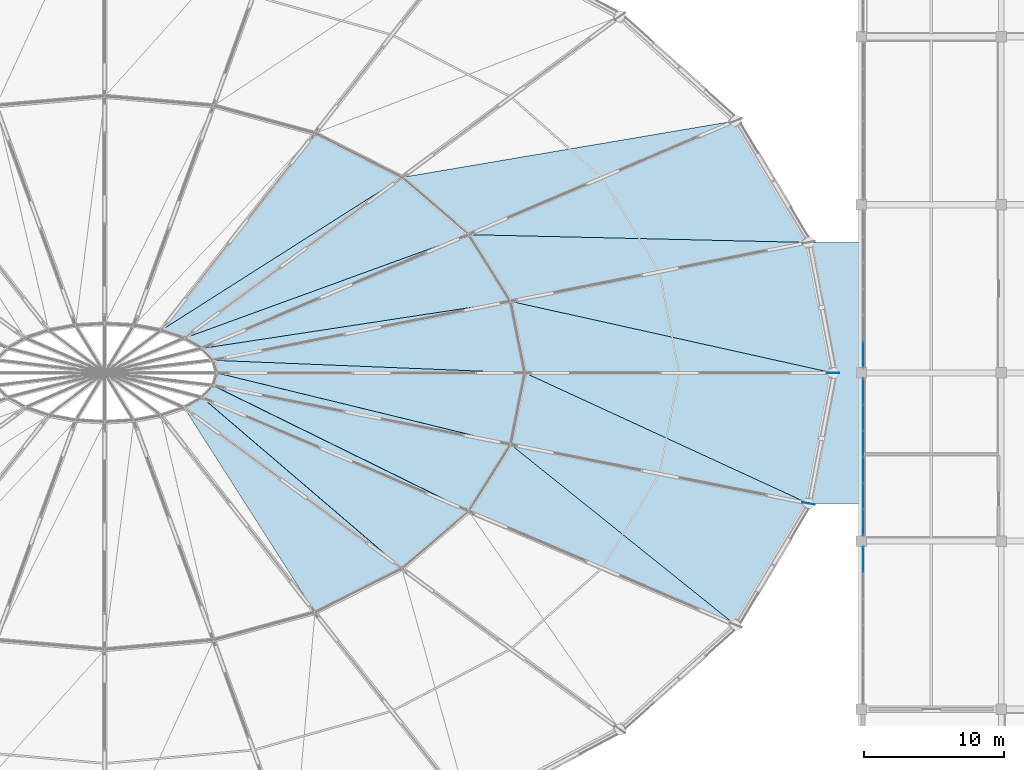
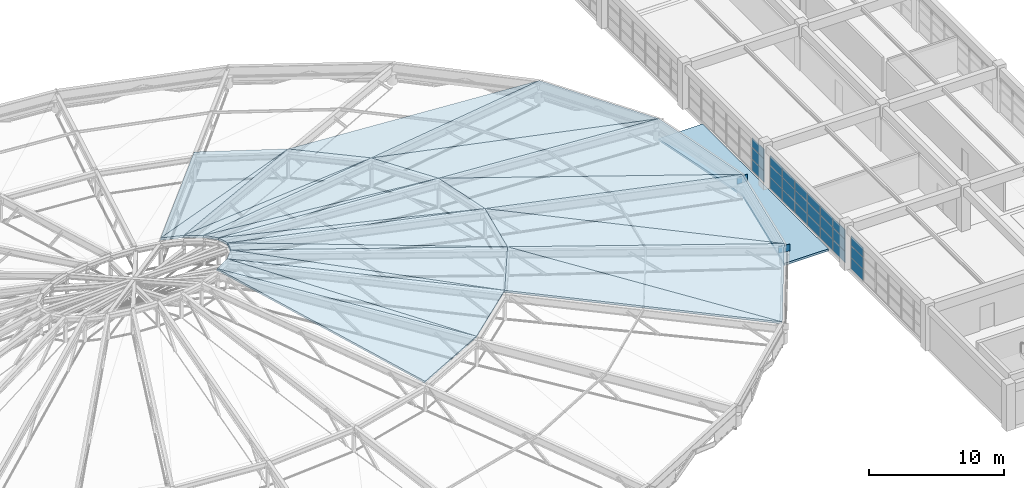
# One storey, part 51 of 83: 26 plates, 25 slabs, 4 elements without a shape of their own.
"""IFC4 building model written with IfcOpenShell, lengths in metres."""

from ifc_helpers import new_model, si_unit, direction, frame, origin, origin_2d, place, context, subcontext, project, spatial, polyline, rectangle, outline, extrude, material, layer, layer_set, type_object, element, aggregate, save


model = new_model("IFC4")

# Units and contexts
model_context = context("Model", 3, precision=1e-05, world=origin(), true_north=direction((0.0, 1.0)))
body_context = subcontext(model_context, "Body", "Model", "MODEL_VIEW")
ifc_project = project(units=[si_unit("LENGTHUNIT", "METRE"), si_unit("AREAUNIT", "SQUARE_METRE"), si_unit("VOLUMEUNIT", "CUBIC_METRE"), si_unit("PLANEANGLEUNIT", "RADIAN"), si_unit("MASSUNIT", "GRAM", prefix="KILO")], contexts=[model_context])

# Site, building, storey
site_placement = place(None, origin())
site = spatial("IfcSite", under=ifc_project, at=site_placement, CompositionType="ELEMENT")
building_placement = place(site_placement, origin())
building = spatial("IfcBuilding", under=site, at=building_placement, Name="Kivolera Central Railway Station", CompositionType="ELEMENT")
storey_placement = place(building_placement, frame((0.0, 0.0, 14.39990234375)))
storey = spatial("IfcBuildingStorey", under=building, at=storey_placement, Name="L03", CompositionType="ELEMENT", Elevation=14.39990234375)

# Curtain wall, plates
ifc_material_1 = material(Name="Anodised aluminium", Category="aluminium")
ifc_layer_1 = layer(ifc_material_1, 0.179931640625, Name="Anodised aluminium")
ifc_layer_set_1 = layer_set([ifc_layer_1], Name="Anodised aluminium")
curtain_wall_type = type_object("IfcCurtainWallType", Name="CW-SYS-30", PredefinedType="NOTDEFINED", material=ifc_layer_set_1)
curtain_wall_1_placement = place(storey_placement, origin())
curtain_wall_1 = element("IfcCurtainWall", 1, at=curtain_wall_1_placement, inside=storey, type_object=curtain_wall_type, Name="L03 Curtain Wall CW-L03-WEST-F", PredefinedType="NOTDEFINED")
ifc_material_2 = material(Name="Double low-E laminated glass", Category="glass")
ifc_layer_2 = layer(ifc_material_2, 0.030029296875, Name="Double low-E laminated glass")
ifc_layer_set_2 = layer_set([ifc_layer_2], Name="Double low-E laminated glass")
plate_type_1 = type_object("IfcPlateType", Name="CWP-GLZ-2", PredefinedType="CURTAIN_PANEL", material=ifc_layer_set_2)
plate_1_placement = place(storey_placement, frame((118.14501953125, 76.674072265625, 0.05810546875), z_axis=(0.0, 0.0, 1.0), x_axis=(0.0, 1.0, 0.0)))
plate_1 = element("IfcPlate", 2, at=plate_1_placement, type_object=plate_type_1, Name="CW-30 panel 6.1", PredefinedType="CURTAIN_PANEL", context=body_context, shape_type="SweptSolid", body=[
    extrude(rectangle(XDim=1.795654296875, YDim=0.030029296875, at=origin_2d()), origin(), (0.0, 0.0, 1.0), 0.996337890625),
])
plate_2_placement = place(storey_placement, frame((118.14501953125, 76.674072265625, 1.100341796875), z_axis=(0.0, 0.0, 1.0), x_axis=(0.0, 1.0, 0.0)))
plate_2 = element("IfcPlate", 3, at=plate_2_placement, type_object=plate_type_1, Name="CW-30 panel 6.2", PredefinedType="CURTAIN_PANEL", context=body_context, shape_type="SweptSolid", body=[
    extrude(rectangle(XDim=1.795654296875, YDim=0.030029296875, at=origin_2d()), origin(), (0.0, 0.0, 1.0), 1.03125),
])
plate_3_placement = place(storey_placement, frame((118.14501953125, 76.674072265625, 2.177734375), z_axis=(0.0, 0.0, 1.0), x_axis=(0.0, 1.0, 0.0)))
plate_3 = element("IfcPlate", 4, at=plate_3_placement, type_object=plate_type_1, Name="CW-30 panel 6.3", PredefinedType="CURTAIN_PANEL", context=body_context, shape_type="SweptSolid", body=[
    extrude(rectangle(XDim=1.795654296875, YDim=0.030029296875, at=origin_2d()), origin(), (0.0, 0.0, 1.0), 0.84228515625),
])
aggregate(curtain_wall_1, [plate_1, plate_2, plate_3])

curtain_wall_2_placement = place(storey_placement, origin())
curtain_wall_2 = element("IfcCurtainWall", 5, at=curtain_wall_2_placement, inside=storey, type_object=curtain_wall_type, Name="L03 Curtain Wall CW-L03-WEST-G", PredefinedType="NOTDEFINED")
plate_4_placement = place(storey_placement, frame((118.14501953125, 79.325927734375, 0.05810546875), z_axis=(0.0, 0.0, 1.0), x_axis=(0.0, 1.0, 0.0)))
plate_4 = element("IfcPlate", 6, at=plate_4_placement, type_object=plate_type_1, Name="CW-30 panel 1.1", PredefinedType="CURTAIN_PANEL", context=body_context, shape_type="SweptSolid", body=[
    extrude(rectangle(XDim=1.795654296875, YDim=0.030029296875, at=origin_2d()), origin(), (0.0, 0.0, 1.0), 0.996337890625),
])
plate_5_placement = place(storey_placement, frame((118.14501953125, 79.325927734375, 1.100341796875), z_axis=(0.0, 0.0, 1.0), x_axis=(0.0, 1.0, 0.0)))
plate_5 = element("IfcPlate", 7, at=plate_5_placement, type_object=plate_type_1, Name="CW-30 panel 1.2", PredefinedType="CURTAIN_PANEL", context=body_context, shape_type="SweptSolid", body=[
    extrude(rectangle(XDim=1.795654296875, YDim=0.030029296875, at=origin_2d()), origin(), (0.0, 0.0, 1.0), 1.03125),
])
plate_6_placement = place(storey_placement, frame((118.14501953125, 79.325927734375, 2.177734375), z_axis=(0.0, 0.0, 1.0), x_axis=(0.0, 1.0, 0.0)))
plate_6 = element("IfcPlate", 8, at=plate_6_placement, type_object=plate_type_1, Name="CW-30 panel 1.3", PredefinedType="CURTAIN_PANEL", context=body_context, shape_type="SweptSolid", body=[
    extrude(rectangle(XDim=1.795654296875, YDim=0.030029296875, at=origin_2d()), origin(), (0.0, 0.0, 1.0), 0.84228515625),
])
plate_7_placement = place(storey_placement, frame((118.14501953125, 81.18505859375, 0.05810546875), z_axis=(0.0, 0.0, 1.0), x_axis=(0.0, 1.0, 0.0)))
plate_7 = element("IfcPlate", 9, at=plate_7_placement, type_object=plate_type_1, Name="CW-30 panel 2.1", PredefinedType="CURTAIN_PANEL", context=body_context, shape_type="SweptSolid", body=[
    extrude(rectangle(XDim=1.83056640625, YDim=0.030029296875, at=origin_2d()), origin(), (0.0, 0.0, 1.0), 0.996337890625),
])
plate_8_placement = place(storey_placement, frame((118.14501953125, 81.18505859375, 1.100341796875), z_axis=(0.0, 0.0, 1.0), x_axis=(0.0, 1.0, 0.0)))
plate_8 = element("IfcPlate", 10, at=plate_8_placement, type_object=plate_type_1, Name="CW-30 panel 2.2", PredefinedType="CURTAIN_PANEL", context=body_context, shape_type="SweptSolid", body=[
    extrude(rectangle(XDim=1.83056640625, YDim=0.030029296875, at=origin_2d()), origin(), (0.0, 0.0, 1.0), 1.03125),
])
plate_9_placement = place(storey_placement, frame((118.14501953125, 81.18505859375, 2.177734375), z_axis=(0.0, 0.0, 1.0), x_axis=(0.0, 1.0, 0.0)))
plate_9 = element("IfcPlate", 11, at=plate_9_placement, type_object=plate_type_1, Name="CW-30 panel 2.3", PredefinedType="CURTAIN_PANEL", context=body_context, shape_type="SweptSolid", body=[
    extrude(rectangle(XDim=1.83056640625, YDim=0.030029296875, at=origin_2d()), origin(), (0.0, 0.0, 1.0), 0.84228515625),
])
plate_10_placement = place(storey_placement, frame((118.14501953125, 83.061767578125, 0.05810546875), z_axis=(0.0, 0.0, 1.0), x_axis=(0.0, 1.0, 0.0)))
plate_10 = element("IfcPlate", 12, at=plate_10_placement, type_object=plate_type_1, Name="CW-30 panel 3.1", PredefinedType="CURTAIN_PANEL", context=body_context, shape_type="SweptSolid", body=[
    extrude(rectangle(XDim=1.83056640625, YDim=0.030029296875, at=origin_2d()), origin(), (0.0, 0.0, 1.0), 0.996337890625),
])
plate_11_placement = place(storey_placement, frame((118.14501953125, 83.061767578125, 1.100341796875), z_axis=(0.0, 0.0, 1.0), x_axis=(0.0, 1.0, 0.0)))
plate_11 = element("IfcPlate", 13, at=plate_11_placement, type_object=plate_type_1, Name="CW-30 panel 3.2", PredefinedType="CURTAIN_PANEL", context=body_context, shape_type="SweptSolid", body=[
    extrude(rectangle(XDim=1.83056640625, YDim=0.030029296875, at=origin_2d()), origin(), (0.0, 0.0, 1.0), 1.03125),
])
plate_12_placement = place(storey_placement, frame((118.14501953125, 83.061767578125, 2.177734375), z_axis=(0.0, 0.0, 1.0), x_axis=(0.0, 1.0, 0.0)))
plate_12 = element("IfcPlate", 14, at=plate_12_placement, type_object=plate_type_1, Name="CW-30 panel 3.3", PredefinedType="CURTAIN_PANEL", context=body_context, shape_type="SweptSolid", body=[
    extrude(rectangle(XDim=1.83056640625, YDim=0.030029296875, at=origin_2d()), origin(), (0.0, 0.0, 1.0), 0.84228515625),
])
plate_13_placement = place(storey_placement, frame((118.14501953125, 84.938232421875, 0.05810546875), z_axis=(0.0, 0.0, 1.0), x_axis=(0.0, 1.0, 0.0)))
plate_13 = element("IfcPlate", 15, at=plate_13_placement, type_object=plate_type_1, Name="CW-30 panel 4.1", PredefinedType="CURTAIN_PANEL", context=body_context, shape_type="SweptSolid", body=[
    extrude(rectangle(XDim=1.83056640625, YDim=0.030029296875, at=origin_2d()), origin(), (0.0, 0.0, 1.0), 0.996337890625),
])
plate_14_placement = place(storey_placement, frame((118.14501953125, 84.938232421875, 1.100341796875), z_axis=(0.0, 0.0, 1.0), x_axis=(0.0, 1.0, 0.0)))
plate_14 = element("IfcPlate", 16, at=plate_14_placement, type_object=plate_type_1, Name="CW-30 panel 4.2", PredefinedType="CURTAIN_PANEL", context=body_context, shape_type="SweptSolid", body=[
    extrude(rectangle(XDim=1.83056640625, YDim=0.030029296875, at=origin_2d()), origin(), (0.0, 0.0, 1.0), 1.03125),
])
plate_15_placement = place(storey_placement, frame((118.14501953125, 84.938232421875, 2.177734375), z_axis=(0.0, 0.0, 1.0), x_axis=(0.0, 1.0, 0.0)))
plate_15 = element("IfcPlate", 17, at=plate_15_placement, type_object=plate_type_1, Name="CW-30 panel 4.3", PredefinedType="CURTAIN_PANEL", context=body_context, shape_type="SweptSolid", body=[
    extrude(rectangle(XDim=1.83056640625, YDim=0.030029296875, at=origin_2d()), origin(), (0.0, 0.0, 1.0), 0.84228515625),
])
plate_16_placement = place(storey_placement, frame((118.14501953125, 86.81494140625, 0.05810546875), z_axis=(0.0, 0.0, 1.0), x_axis=(0.0, 1.0, 0.0)))
plate_16 = element("IfcPlate", 18, at=plate_16_placement, type_object=plate_type_1, Name="CW-30 panel 5.1", PredefinedType="CURTAIN_PANEL", context=body_context, shape_type="SweptSolid", body=[
    extrude(rectangle(XDim=1.83056640625, YDim=0.030029296875, at=origin_2d()), origin(), (0.0, 0.0, 1.0), 0.996337890625),
])
plate_17_placement = place(storey_placement, frame((118.14501953125, 86.81494140625, 1.100341796875), z_axis=(0.0, 0.0, 1.0), x_axis=(0.0, 1.0, 0.0)))
plate_17 = element("IfcPlate", 19, at=plate_17_placement, type_object=plate_type_1, Name="CW-30 panel 5.2", PredefinedType="CURTAIN_PANEL", context=body_context, shape_type="SweptSolid", body=[
    extrude(rectangle(XDim=1.83056640625, YDim=0.030029296875, at=origin_2d()), origin(), (0.0, 0.0, 1.0), 1.03125),
])
plate_18_placement = place(storey_placement, frame((118.14501953125, 86.81494140625, 2.177734375), z_axis=(0.0, 0.0, 1.0), x_axis=(0.0, 1.0, 0.0)))
plate_18 = element("IfcPlate", 20, at=plate_18_placement, type_object=plate_type_1, Name="CW-30 panel 5.3", PredefinedType="CURTAIN_PANEL", context=body_context, shape_type="SweptSolid", body=[
    extrude(rectangle(XDim=1.83056640625, YDim=0.030029296875, at=origin_2d()), origin(), (0.0, 0.0, 1.0), 0.84228515625),
])
plate_19_placement = place(storey_placement, frame((118.14501953125, 88.674072265625, 0.05810546875), z_axis=(0.0, 0.0, 1.0), x_axis=(0.0, 1.0, 0.0)))
plate_19 = element("IfcPlate", 21, at=plate_19_placement, type_object=plate_type_1, Name="CW-30 panel 6.1", PredefinedType="CURTAIN_PANEL", context=body_context, shape_type="SweptSolid", body=[
    extrude(rectangle(XDim=1.795654296875, YDim=0.030029296875, at=origin_2d()), origin(), (0.0, 0.0, 1.0), 0.996337890625),
])
plate_20_placement = place(storey_placement, frame((118.14501953125, 88.674072265625, 1.100341796875), z_axis=(0.0, 0.0, 1.0), x_axis=(0.0, 1.0, 0.0)))
plate_20 = element("IfcPlate", 22, at=plate_20_placement, type_object=plate_type_1, Name="CW-30 panel 6.2", PredefinedType="CURTAIN_PANEL", context=body_context, shape_type="SweptSolid", body=[
    extrude(rectangle(XDim=1.795654296875, YDim=0.030029296875, at=origin_2d()), origin(), (0.0, 0.0, 1.0), 1.03125),
])
plate_21_placement = place(storey_placement, frame((118.14501953125, 88.674072265625, 2.177734375), z_axis=(0.0, 0.0, 1.0), x_axis=(0.0, 1.0, 0.0)))
plate_21 = element("IfcPlate", 23, at=plate_21_placement, type_object=plate_type_1, Name="CW-30 panel 6.3", PredefinedType="CURTAIN_PANEL", context=body_context, shape_type="SweptSolid", body=[
    extrude(rectangle(XDim=1.795654296875, YDim=0.030029296875, at=origin_2d()), origin(), (0.0, 0.0, 1.0), 0.84228515625),
])
aggregate(curtain_wall_2, [plate_4, plate_5, plate_6, plate_7, plate_8, plate_9, plate_10, plate_11, plate_12, plate_13, plate_14, plate_15, plate_16, plate_17, plate_18, plate_19, plate_20, plate_21])

curtain_wall_3_placement = place(storey_placement, origin())
curtain_wall_3 = element("IfcCurtainWall", 24, at=curtain_wall_3_placement, inside=storey, type_object=curtain_wall_type, Name="L03 Curtain Wall CW-L03-WEST-H", PredefinedType="NOTDEFINED")
plate_22_placement = place(storey_placement, frame((118.14501953125, 91.325927734375, 0.05810546875), z_axis=(0.0, 0.0, 1.0), x_axis=(0.0, 1.0, 0.0)))
plate_22 = element("IfcPlate", 25, at=plate_22_placement, type_object=plate_type_1, Name="CW-30 panel 1.1", PredefinedType="CURTAIN_PANEL", context=body_context, shape_type="SweptSolid", body=[
    extrude(rectangle(XDim=1.795654296875, YDim=0.030029296875, at=origin_2d()), origin(), (0.0, 0.0, 1.0), 0.996337890625),
])
plate_23_placement = place(storey_placement, frame((118.14501953125, 91.325927734375, 1.100341796875), z_axis=(0.0, 0.0, 1.0), x_axis=(0.0, 1.0, 0.0)))
plate_23 = element("IfcPlate", 26, at=plate_23_placement, type_object=plate_type_1, Name="CW-30 panel 1.2", PredefinedType="CURTAIN_PANEL", context=body_context, shape_type="SweptSolid", body=[
    extrude(rectangle(XDim=1.795654296875, YDim=0.030029296875, at=origin_2d()), origin(), (0.0, 0.0, 1.0), 1.03125),
])
plate_24_placement = place(storey_placement, frame((118.14501953125, 91.325927734375, 2.177734375), z_axis=(0.0, 0.0, 1.0), x_axis=(0.0, 1.0, 0.0)))
plate_24 = element("IfcPlate", 27, at=plate_24_placement, type_object=plate_type_1, Name="CW-30 panel 1.3", PredefinedType="CURTAIN_PANEL", context=body_context, shape_type="SweptSolid", body=[
    extrude(rectangle(XDim=1.795654296875, YDim=0.030029296875, at=origin_2d()), origin(), (0.0, 0.0, 1.0), 0.84228515625),
])
aggregate(curtain_wall_3, [plate_22, plate_23, plate_24])

# Plates
ifc_material_3 = material(Name="Steel S355", Category="steel")
ifc_layer_3 = layer(ifc_material_3, 0.028076171875, Name="Steel S355")
ifc_layer_set_3 = layer_set([ifc_layer_3], Name="Steel S355")
plate_type_2 = type_object("IfcPlateType", Name="PLT-GUS-900", PredefinedType="SHEET", material=ifc_layer_set_3)
for number, where, z_axis, x_axis, name in (
    (28, (116.0, 90.0, 1.050048828125), (0.0, 0.0, 1.0), (1.0, 0.0, 0.0), "Dome Springing Node Gusset Plate NP-01"),
    (29, (114.22802734375, 80.68310546875, 1.050048828125), (0.0, 0.0, 1.0), (0.983226269944, -0.182389972563, 0.0), "Dome Springing Node Gusset Plate NP-24"),
):
    element("IfcPlate", number, at=place(storey_placement, frame(where, z_axis=z_axis, x_axis=x_axis)), inside=storey, type_object=plate_type_2, Name=name, PredefinedType="SHEET", context=body_context, shape_type="SweptSolid", body=[
        extrude(rectangle(XDim=0.89990234375, YDim=0.028076171875, at=origin_2d()), origin(), (0.0, 0.0, 1.0), 0.60009765625),
    ])

# Roof, slabs
roof_type = type_object("IfcRoofType", Name="ROOF-DOME-MAIN", PredefinedType="DOME_ROOF", material=ifc_material_3)
roof_placement = place(storey_placement, origin())
roof = element("IfcRoof", 30, at=roof_placement, inside=storey, type_object=roof_type, Name="Oval Concourse Radial-Ribbed Cable-Net Dome Roof", PredefinedType="DOME_ROOF")
ifc_material_4 = material(Name="Precast concrete C40/50", Category="concrete")
ifc_layer_4 = layer(ifc_material_4, 0.179931640625, Name="Precast concrete C40/50")
ifc_layer_set_4 = layer_set([ifc_layer_4], Name="Precast concrete C40/50")
slab_type_1 = type_object("IfcSlabType", Name="SLB-DOME-180", PredefinedType="ROOF", material=ifc_layer_set_4)
slab_1_placement = place(storey_placement, frame((116.0, 90.0, 1.800048828125), z_axis=(0.204072988289, 0.038812477045, 0.978185977755), x_axis=(-0.186840028686, 0.982390351989, 0.0)))
slab_1 = element("IfcSlab", 31, at=slab_1_placement, type_object=slab_type_1, Name="Oval Dome Faceted Roof Panel F1A-00", PredefinedType="ROOF", context=body_context, shape_type="SweptSolid", body=[
    extrude(outline(polyline([(0.0, 0.0), (9.48390271992147, 0.0), (9.323464991545269, 22.144486605439855), (0.0, 0.0)])), origin(), (0.0, 0.0, -1.0), 0.179931640625),
])
slab_2_placement = place(storey_placement, frame((116.0, 90.0, 1.800048828125), z_axis=(0.204497949534, 0.040882010447, 0.97801290884), x_axis=(-0.958163816825, 0.212761587314, 0.191453929422)))
slab_2 = element("IfcSlab", 32, at=slab_2_placement, type_object=slab_type_1, Name="Oval Dome Faceted Roof Panel F1B-00", PredefinedType="ROOF", context=body_context, shape_type="SweptSolid", body=[
    extrude(outline(polyline([(0.0, 0.0), (24.027178079563885, -4.440892098500626e-16), (21.960310742164108, 4.785984805097959), (0.0, 0.0)])), origin(), (0.0, 0.0, -1.0), 0.179931640625),
])
slab_3_placement = place(storey_placement, frame((94.0, 90.0, 6.400146484375), z_axis=(0.203674345644, 0.040717360469, 0.978191626157), x_axis=(-0.196035080602, 0.980596883114, 0.0)))
slab_3 = element("IfcSlab", 33, at=slab_3_placement, type_object=slab_type_1, Name="Oval Dome Faceted Roof Panel F2A-00", PredefinedType="ROOF", context=body_context, shape_type="SweptSolid", body=[
    extrude(outline(polyline([(0.0, 0.0), (5.213213130597923, 0.0), (5.254705917119084, 22.146147105265047), (0.0, 0.0)])), origin(), (0.0, 0.0, -1.0), 0.179931640625),
])
slab_4_placement = place(storey_placement, frame((94.0, 90.0, 6.400146484375), z_axis=(0.20427074384, 0.061539933067, 0.976978147068), x_axis=(-0.978556977115, 0.03980516214, 0.202093521932)))
slab_4 = element("IfcSlab", 34, at=slab_4_placement, type_object=slab_type_1, Name="Oval Dome Faceted Roof Panel F2B-00", PredefinedType="ROOF", context=body_context, shape_type="SweptSolid", body=[
    extrude(outline(polyline([(0.0, 0.0), (22.76101416640844, -1.1102230246251565e-16), (22.457854093869948, 0.8963491862307472), (0.0, 0.0)])), origin(), (0.0, 0.0, -1.0), 0.179931640625),
])
slab_5_placement = place(storey_placement, frame((114.22802734375, 99.31689453125, 1.800048828125), z_axis=(0.187708318886, 0.112305159916, 0.97578334587), x_axis=(-0.513420234648, 0.85813732156, 0.0)))
slab_5 = element("IfcSlab", 35, at=slab_5_placement, type_object=slab_type_1, Name="Oval Dome Faceted Roof Panel F1A-01", PredefinedType="ROOF", context=body_context, shape_type="SweptSolid", body=[
    extrude(outline(polyline([(0.0, 0.0), (10.118550085857924, -8.881784197001252e-16), (12.927867661462578, 21.030050799470608), (0.0, 0.0)])), origin(), (0.0, 0.0, -1.0), 0.179931640625),
])
slab_6_placement = place(storey_placement, frame((114.22802734375, 99.31689453125, 1.800048828125), z_axis=(0.187711736545, 0.118117242187, 0.975096211182), x_axis=(-0.982224161158, 0.022608284993, 0.186345278148)))
slab_6 = element("IfcSlab", 36, at=slab_6_placement, type_object=slab_type_1, Name="Oval Dome Faceted Roof Panel F1B-01", PredefinedType="ROOF", context=body_context, shape_type="SweptSolid", body=[
    extrude(outline(polyline([(0.0, 0.0), (24.685882582978564, 0.0), (21.6344058167904, 4.728267361054932), (0.0, 0.0)])), origin(), (0.0, 0.0, -1.0), 0.179931640625),
])
slab_7_placement = place(storey_placement, frame((92.97802734375, 95.112060546875, 6.400146484375), z_axis=(0.185708549271, 0.116856740523, 0.975631506729), x_axis=(-0.532581967899, 0.846378430413, 0.0)))
slab_7 = element("IfcSlab", 37, at=slab_7_placement, type_object=slab_type_1, Name="Oval Dome Faceted Roof Panel F2A-01", PredefinedType="ROOF", context=body_context, shape_type="SweptSolid", body=[
    extrude(outline(polyline([(0.0, 0.0), (5.627434823452291, 0.0), (8.89788286854379, 20.964122620954893), (0.0, 0.0)])), origin(), (0.0, 0.0, -1.0), 0.179931640625),
])
slab_8_placement = place(storey_placement, frame((92.97802734375, 95.112060546875, 6.400146484375), z_axis=(0.176807967583, 0.167397303414, 0.969905709545), x_axis=(-0.968200603055, -0.147625480305, 0.201976012956)))
slab_8 = element("IfcSlab", 38, at=slab_8_placement, type_object=slab_type_1, Name="Oval Dome Faceted Roof Panel F2B-01", PredefinedType="ROOF", context=body_context, shape_type="SweptSolid", body=[
    extrude(outline(polyline([(0.0, 0.0), (22.774256449086497, 2.220446049250313e-16), (22.12518924000817, 0.9641339913101656), (0.0, 0.0)])), origin(), (0.0, 0.0, -1.0), 0.179931640625),
])
slab_9_placement = place(storey_placement, frame((109.032958984375, 108.0, 1.800048828125), z_axis=(0.156541405077, 0.18248992068, 0.970665862873), x_axis=(-0.968553919078, -0.164064597872, 0.187045752593)))
slab_9 = element("IfcSlab", 39, at=slab_9_placement, type_object=slab_type_1, Name="Oval Dome Faceted Roof Panel F1B-02", PredefinedType="ROOF", context=body_context, shape_type="SweptSolid", body=[
    extrude(outline(polyline([(0.0, 0.0), (24.59343552297474, -3.3306690738754696e-16), (20.64634474381376, 4.887100427503965), (0.0, 0.0)])), origin(), (0.0, 0.0, -1.0), 0.179931640625),
])
slab_10_placement = place(storey_placement, frame((89.98095703125, 99.875, 6.400146484375), z_axis=(0.154357118089, 0.179943563319, 0.971490707169), x_axis=(-0.759006904764, 0.651082574271, 0.0)))
slab_10 = element("IfcSlab", 40, at=slab_10_placement, type_object=slab_type_1, Name="Oval Dome Faceted Roof Panel F2A-02", PredefinedType="ROOF", context=body_context, shape_type="SweptSolid", body=[
    extrude(outline(polyline([(0.0, 0.0), (6.281980277543623, 0.0), (10.60808959344854, 19.40230878432082), (0.0, 0.0)])), origin(), (0.0, 0.0, -1.0), 0.179931640625),
])
slab_11_placement = place(storey_placement, frame((89.98095703125, 99.875, 6.400146484375), z_axis=(0.133079154548, 0.233269386727, 0.963262857086), x_axis=(-0.919099615551, -0.334641600867, 0.208016575451)))
slab_11 = element("IfcSlab", 41, at=slab_11_placement, type_object=slab_type_1, Name="Oval Dome Faceted Roof Panel F2B-02", PredefinedType="ROOF", context=body_context, shape_type="SweptSolid", body=[
    extrude(outline(polyline([(0.0, 0.0), (22.112918192422367, -4.440892098500626e-16), (21.187394011761715, 1.1334031376520115), (0.0, 0.0)])), origin(), (0.0, 0.0, -1.0), 0.179931640625),
])
slab_12_placement = place(storey_placement, frame((85.212890625, 103.965087890625, 6.400146484375), z_axis=(0.114505383953, 0.226641752417, 0.967223879517), x_axis=(-0.892553489172, 0.450941536085, 0.0)))
slab_12 = element("IfcSlab", 42, at=slab_12_placement, type_object=slab_type_1, Name="Oval Dome Faceted Roof Panel F2A-03", PredefinedType="ROOF", context=body_context, shape_type="SweptSolid", body=[
    extrude(outline(polyline([(0.0, 0.0), (6.960804814916162, 0.0), (10.432793839233575, 18.114999823559888), (0.0, 0.0)])), origin(), (0.0, 0.0, -1.0), 0.179931640625),
])
slab_13_placement = place(storey_placement, frame((85.212890625, 103.965087890625, 6.400146484375), z_axis=(0.0886957889, 0.264373438413, 0.960333141203), x_axis=(-0.823407610243, -0.523050227396, 0.220041739257)))
slab_13 = element("IfcSlab", 43, at=slab_13_placement, type_object=slab_type_1, Name="Oval Dome Faceted Roof Panel F2B-03", PredefinedType="ROOF", context=body_context, shape_type="SweptSolid", body=[
    extrude(outline(polyline([(0.0, 0.0), (20.904458995619205, 4.440892098500626e-16), (19.830854971464756, 1.379129825659565), (0.0, 0.0)])), origin(), (0.0, 0.0, -1.0), 0.179931640625),
])
slab_14_placement = place(storey_placement, frame((79.0, 72.89599609375, 6.400146484375), z_axis=(0.116060220086, -0.229719256495, 0.966312107194), x_axis=(0.892553489172, 0.450941536085, 0.0)))
slab_14 = element("IfcSlab", 44, at=slab_14_placement, type_object=slab_type_1, Name="Oval Dome Faceted Roof Panel F2A-20", PredefinedType="ROOF", context=body_context, shape_type="SweptSolid", body=[
    extrude(outline(polyline([(0.0, 0.0), (6.960804814916162, 0.0), (-1.7423614831365493, 17.872316703878422), (0.0, 0.0)])), origin(), (0.0, 0.0, -1.0), 0.179931640625),
])
slab_15_placement = place(storey_placement, frame((85.212890625, 76.034912109375, 6.400146484375), z_axis=(0.156528527935, -0.182474909006, 0.970670761652), x_axis=(0.759006904764, 0.651082574271, 0.0)))
slab_15 = element("IfcSlab", 45, at=slab_15_placement, type_object=slab_type_1, Name="Oval Dome Faceted Roof Panel F2A-21", PredefinedType="ROOF", context=body_context, shape_type="SweptSolid", body=[
    extrude(outline(polyline([(0.0, 0.0), (6.281980277543623, -4.440892098500626e-16), (-2.8893160561905846, 19.133154241810445), (0.0, 0.0)])), origin(), (0.0, 0.0, -1.0), 0.179931640625),
])
slab_16_placement = place(storey_placement, frame((85.212890625, 76.034912109375, 6.400146484375), z_axis=(0.124713014768, -0.218604698614, 0.967811267599), x_axis=(-0.738235159283, 0.631267961997, 0.23771749989)))
slab_16 = element("IfcSlab", 46, at=slab_16_placement, type_object=slab_type_1, Name="Oval Dome Faceted Roof Panel F2B-21", PredefinedType="ROOF", context=body_context, shape_type="SweptSolid", body=[
    extrude(outline(polyline([(0.0, 0.0), (19.350083682337647, 2.1649348980190553e-15), (19.830646766345684, 1.3821204013094115), (0.0, 0.0)])), origin(), (0.0, 0.0, -1.0), 0.179931640625),
])
slab_17_placement = place(storey_placement, frame((109.032958984375, 72.0, 1.800048828125), z_axis=(0.188816492819, -0.112968176087, 0.975492964214), x_axis=(0.513420234648, 0.85813732156, 0.0)))
slab_17 = element("IfcSlab", 47, at=slab_17_placement, type_object=slab_type_1, Name="Oval Dome Faceted Roof Panel F1A-22", PredefinedType="ROOF", context=body_context, shape_type="SweptSolid", body=[
    extrude(outline(polyline([(0.0, 0.0), (10.118550085857924, 8.881784197001252e-16), (2.816695072552241, 20.906624324549725), (0.0, 0.0)])), origin(), (0.0, 0.0, -1.0), 0.179931640625),
])
slab_18_placement = place(storey_placement, frame((109.032958984375, 72.0, 1.800048828125), z_axis=(0.185725075329, -0.116867139512, 0.975627115294), x_axis=(-0.761059039623, 0.610932705443, 0.218060467824)))
slab_18 = element("IfcSlab", 48, at=slab_18_placement, type_object=slab_type_1, Name="Oval Dome Faceted Roof Panel F1B-22", PredefinedType="ROOF", context=body_context, shape_type="SweptSolid", body=[
    extrude(outline(polyline([(0.0, 0.0), (21.095514020274415, -2.1788126858268697e-15), (20.4666259880278, 5.592184057691638), (0.0, 0.0)])), origin(), (0.0, 0.0, -1.0), 0.179931640625),
])
slab_19_placement = place(storey_placement, frame((89.98095703125, 80.125, 6.400146484375), z_axis=(0.187689234498, -0.118103082818, 0.975102257757), x_axis=(0.532581967899, 0.846378430413, 0.0)))
slab_19 = element("IfcSlab", 49, at=slab_19_placement, type_object=slab_type_1, Name="Oval Dome Faceted Roof Panel F2A-22", PredefinedType="ROOF", context=body_context, shape_type="SweptSolid", body=[
    extrude(outline(polyline([(0.0, 0.0), (5.627434823452291, -4.440892098500626e-16), (-2.1305381293511267, 20.7428881528813), (0.0, 0.0)])), origin(), (0.0, 0.0, -1.0), 0.179931640625),
])
slab_20_placement = place(storey_placement, frame((89.98095703125, 80.125, 6.400146484375), z_axis=(0.167356178366, -0.15844858889, 0.973080651458), x_axis=(-0.875402436499, 0.430125980495, 0.220595138376)))
slab_20 = element("IfcSlab", 50, at=slab_20_placement, type_object=slab_type_1, Name="Oval Dome Faceted Roof Panel F2B-22", PredefinedType="ROOF", context=body_context, shape_type="SweptSolid", body=[
    extrude(outline(polyline([(0.0, 0.0), (20.85201672845009, 4.440892098500626e-16), (21.188502729448416, 1.112483602680308), (0.0, 0.0)])), origin(), (0.0, 0.0, -1.0), 0.179931640625),
])
slab_21_placement = place(storey_placement, frame((114.22802734375, 80.68310546875, 1.800048828125), z_axis=(0.204514173263, -0.03889638566, 0.97809049894), x_axis=(0.186840028686, 0.982390351989, 0.0)))
slab_21 = element("IfcSlab", 51, at=slab_21_placement, type_object=slab_type_1, Name="Oval Dome Faceted Roof Panel F1A-23", PredefinedType="ROOF", context=body_context, shape_type="SweptSolid", body=[
    extrude(outline(polyline([(0.0, 0.0), (9.48390271992147, 0.0), (5.3734220888187085, 22.096715761134412), (0.0, 0.0)])), origin(), (0.0, 0.0, -1.0), 0.179931640625),
])
slab_22_placement = place(storey_placement, frame((114.22802734375, 80.68310546875, 1.800048828125), z_axis=(0.203695458225, -0.040721581171, 0.978187054262), x_axis=(-0.889508476753, 0.409701673907, 0.202284967762)))
slab_22 = element("IfcSlab", 52, at=slab_22_placement, type_object=slab_type_1, Name="Oval Dome Faceted Roof Panel F1B-23", PredefinedType="ROOF", context=body_context, shape_type="SweptSolid", body=[
    extrude(outline(polyline([(0.0, 0.0), (22.740679681420488, 3.608224830031759e-16), (21.555313258998545, 5.0766620519425185), (0.0, 0.0)])), origin(), (0.0, 0.0, -1.0), 0.179931640625),
])
slab_23_placement = place(storey_placement, frame((92.97802734375, 84.887939453125, 6.400146484375), z_axis=(0.204487568212, -0.040879935075, 0.978015166219), x_axis=(0.196035080602, 0.980596883114, 0.0)))
slab_23 = element("IfcSlab", 53, at=slab_23_placement, type_object=slab_type_1, Name="Oval Dome Faceted Roof Panel F2A-23", PredefinedType="ROOF", context=body_context, shape_type="SweptSolid", body=[
    extrude(outline(polyline([(0.0, 0.0), (5.213213130597923, 0.0), (0.900441357363075, 22.05807453059302), (0.0, 0.0)])), origin(), (0.0, 0.0, -1.0), 0.179931640625),
])
slab_24_placement = place(storey_placement, frame((92.97802734375, 84.887939453125, 6.400146484375), z_axis=(0.199777585945, -0.060186295092, 0.97799106644), x_axis=(-0.950244790459, 0.231561758576, 0.208360241336)))
slab_24 = element("IfcSlab", 54, at=slab_24_placement, type_object=slab_type_1, Name="Oval Dome Faceted Roof Panel F2B-23", PredefinedType="ROOF", context=body_context, shape_type="SweptSolid", body=[
    extrude(outline(polyline([(0.0, 0.0), (22.076445516324547, 6.245004513516506e-16), (22.126017779424373, 0.9449288248165739), (0.0, 0.0)])), origin(), (0.0, 0.0, -1.0), 0.179931640625),
])
aggregate(roof, [slab_1, slab_2, slab_3, slab_4, slab_5, slab_6, slab_7, slab_8, slab_9, slab_10, slab_11, slab_12, slab_13, slab_14, slab_15, slab_16, slab_17, slab_18, slab_19, slab_20, slab_21, slab_22, slab_23, slab_24])

# Slab
ifc_material_5 = material(Name="Concrete C40/50", Category="concrete")
ifc_layer_5 = layer(ifc_material_5, 0.18994140625, Name="Concrete C40/50")
ifc_layer_set_5 = layer_set([ifc_layer_5], Name="Concrete C40/50")
slab_type_2 = type_object("IfcSlabType", Name="SLB-MON-190", PredefinedType="ROOF", material=ifc_layer_set_5)
slab_25_placement = place(storey_placement, frame((0.0, 0.0, -0.18994140625)))
element("IfcSlab", 55, at=slab_25_placement, inside=storey, type_object=slab_type_2, Name="L03 Concourse Link Maintenance Roof Slab", PredefinedType="ROOF", context=body_context, shape_type="SweptSolid", body=[
    extrude(outline(polyline([(114.22802734375, 80.68310546875), (118.0, 80.68310546875), (118.0, 99.31689453125), (114.22802734375, 99.31689453125), (116.0, 90.0), (114.22802734375, 80.68310546875)])), origin(), (0.0, 0.0, 1.0), 0.18994140625),
])

save(model, "model.ifc")
